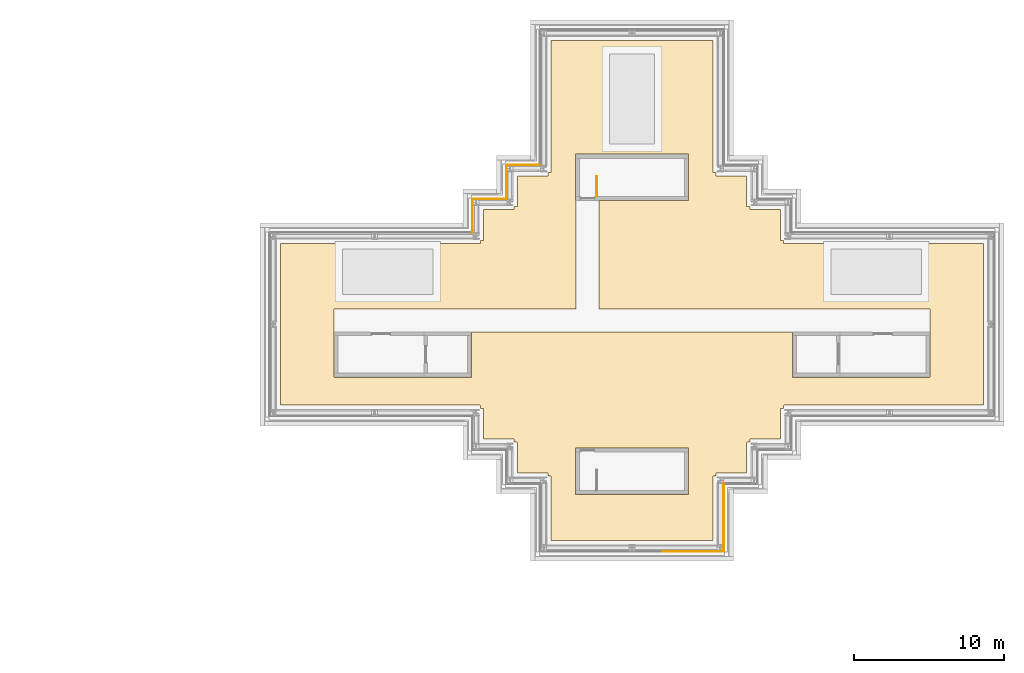
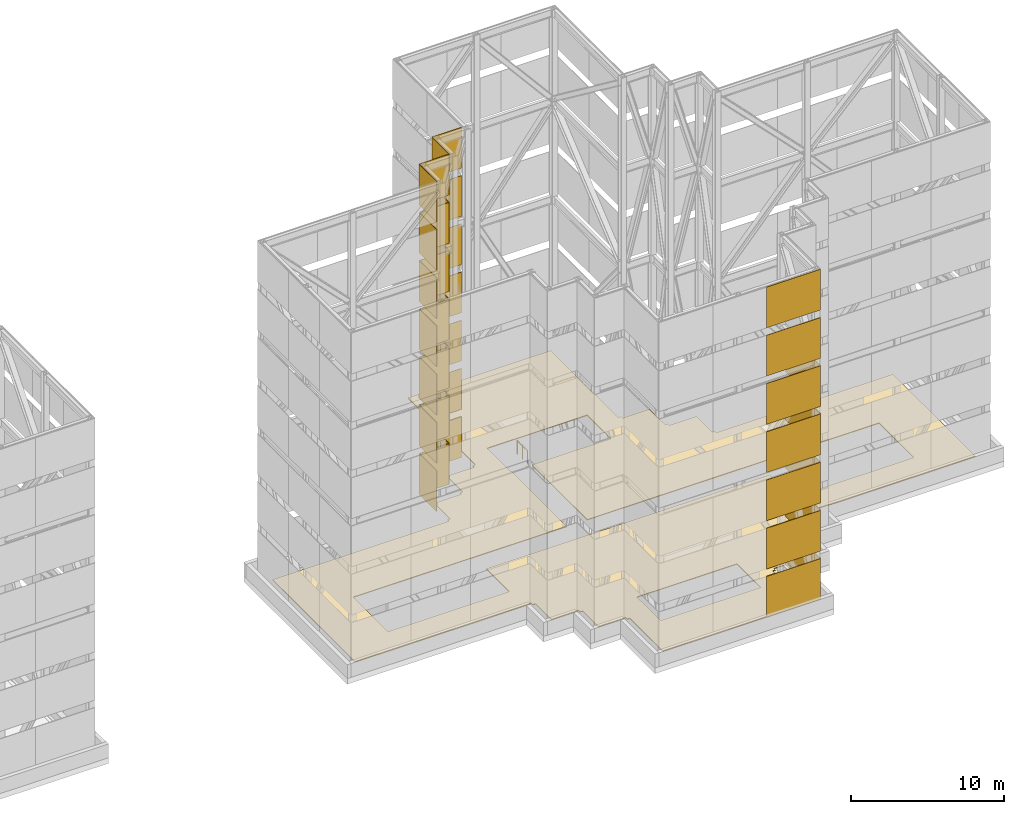
# One storey, part 17 of 19: 41 coverings, 1 railing.
"""IFC4 building model written with IfcOpenShell, lengths in metres."""

from ifc_helpers import new_model, si_unit, direction, frame, origin, origin_2d, place, context, subcontext, project, spatial, polyline, rectangle, circle, outline, extrude, material, layer, layer_set, type_object, element, save


model = new_model("IFC4")

# Units and contexts
model_context = context("Model", 3, precision=1e-05, world=origin(), true_north=direction((0.0, 1.0)))
body_context = subcontext(model_context, "Body", "Model", "MODEL_VIEW")
ifc_project = project(units=[si_unit("LENGTHUNIT", "METRE"), si_unit("AREAUNIT", "SQUARE_METRE"), si_unit("VOLUMEUNIT", "CUBIC_METRE"), si_unit("PLANEANGLEUNIT", "RADIAN"), si_unit("MASSUNIT", "GRAM", prefix="KILO")], contexts=[model_context])

# Site, building, storey
site_placement = place(None, origin())
site = spatial("IfcSite", under=ifc_project, at=site_placement, CompositionType="ELEMENT")
building_placement = place(site_placement, origin())
building = spatial("IfcBuilding", under=site, at=building_placement, Name="Shamsa Quay Exchange Towers", CompositionType="ELEMENT")
storey_placement = place(building_placement, frame((0.0, 0.0, 284.300048828125)))
storey = spatial("IfcBuildingStorey", under=building, at=storey_placement, Name="Roof", CompositionType="ELEMENT", Elevation=284.300048828125)

# Coverings
ifc_material_1 = material(Name="Aluminium EN AW-5083, dark bronze anodised, perforated", Category="aluminium")
ifc_layer_1 = layer(ifc_material_1, 0.0400390625)
ifc_layer_set_1 = layer_set([ifc_layer_1], Name="CROWN SCREEN PANEL 40")
covering_type_1 = type_object("IfcCoveringType", Name="CROWN SCREEN PANEL 40", PredefinedType="CLADDING", material=ifc_layer_set_1)
for number, where, z_axis, x_axis, name in (
    (1, (26.52099609375, 10.60302734375, 0.60009765625), (0.0, 0.0, 1.0), (-1.0, 0.0, 0.0), "SCREEN T2 CR12 tier 1"),
    (2, (26.52099609375, 10.60302734375, 4.44287109375), (0.0, 0.0, 1.0), (-1.0, 0.0, 0.0), "SCREEN T2 CR12 tier 2"),
    (3, (26.52099609375, 10.60302734375, 8.28564453125), (0.0, 0.0, 1.0), (-1.0, 0.0, 0.0), "SCREEN T2 CR12 tier 3"),
    (4, (26.52099609375, 10.60302734375, 12.12841796875), (0.0, 0.0, 1.0), (-1.0, 0.0, 0.0), "SCREEN T2 CR12 tier 4"),
    (5, (26.52099609375, 10.60302734375, 15.97119140625), (0.0, 0.0, 1.0), (-1.0, 0.0, 0.0), "SCREEN T2 CR12 tier 5"),
    (6, (26.52099609375, 10.60302734375, 19.81396484375), (0.0, 0.0, 1.0), (-1.0, 0.0, 0.0), "SCREEN T2 CR12 tier 6"),
    (7, (26.52099609375, 10.60302734375, 23.6572265625), (0.0, 0.0, 1.0), (-1.0, 0.0, 0.0), "SCREEN T2 CR12 tier 7"),
):
    element("IfcCovering", number, at=place(storey_placement, frame(where, z_axis=z_axis, x_axis=x_axis)), inside=storey, type_object=covering_type_1, Name=name, PredefinedType="CLADDING", context=body_context, shape_type="SweptSolid", body=[
        extrude(rectangle(XDim=2.2080078125, YDim=0.0400390625, at=origin_2d()), origin(), (0.0, 0.0, 1.0), 3.242919921875),
    ])
for number, where, z_axis, x_axis, name in (
    (8, (25.39697265625, 9.4580078125, 0.60009765625), (0.0, 0.0, 1.0), (0.0, -1.0, 0.0), "SCREEN T2 CR13 tier 1"),
    (9, (25.39697265625, 9.4580078125, 4.44287109375), (0.0, 0.0, 1.0), (0.0, -1.0, 0.0), "SCREEN T2 CR13 tier 2"),
    (10, (25.39697265625, 9.4580078125, 8.28564453125), (0.0, 0.0, 1.0), (0.0, -1.0, 0.0), "SCREEN T2 CR13 tier 3"),
    (11, (25.39697265625, 9.4580078125, 12.12841796875), (0.0, 0.0, 1.0), (0.0, -1.0, 0.0), "SCREEN T2 CR13 tier 4"),
    (12, (25.39697265625, 9.4580078125, 15.97119140625), (0.0, 0.0, 1.0), (0.0, -1.0, 0.0), "SCREEN T2 CR13 tier 5"),
    (13, (25.39697265625, 9.4580078125, 19.81396484375), (0.0, 0.0, 1.0), (0.0, -1.0, 0.0), "SCREEN T2 CR13 tier 6"),
    (14, (25.39697265625, 9.4580078125, 23.6572265625), (0.0, 0.0, 1.0), (0.0, -1.0, 0.0), "SCREEN T2 CR13 tier 7"),
):
    element("IfcCovering", number, at=place(storey_placement, frame(where, z_axis=z_axis, x_axis=x_axis)), inside=storey, type_object=covering_type_1, Name=name, PredefinedType="CLADDING", context=body_context, shape_type="SweptSolid", body=[
        extrude(rectangle(XDim=2.25, YDim=0.0400390625, at=origin_2d()), origin(), (0.0, 0.0, 1.0), 3.242919921875),
    ])
for number, where, z_axis, x_axis, name in (
    (15, (24.27099609375, 8.35302734375, 0.60009765625), (0.0, 0.0, 1.0), (-1.0, 0.0, 0.0), "SCREEN T2 CR14 tier 1"),
    (16, (24.27099609375, 8.35302734375, 4.44287109375), (0.0, 0.0, 1.0), (-1.0, 0.0, 0.0), "SCREEN T2 CR14 tier 2"),
    (17, (24.27099609375, 8.35302734375, 8.28564453125), (0.0, 0.0, 1.0), (-1.0, 0.0, 0.0), "SCREEN T2 CR14 tier 3"),
    (18, (24.27099609375, 8.35302734375, 12.12841796875), (0.0, 0.0, 1.0), (-1.0, 0.0, 0.0), "SCREEN T2 CR14 tier 4"),
    (19, (24.27099609375, 8.35302734375, 15.97119140625), (0.0, 0.0, 1.0), (-1.0, 0.0, 0.0), "SCREEN T2 CR14 tier 5"),
    (20, (24.27099609375, 8.35302734375, 19.81396484375), (0.0, 0.0, 1.0), (-1.0, 0.0, 0.0), "SCREEN T2 CR14 tier 6"),
    (21, (24.27099609375, 8.35302734375, 23.6572265625), (0.0, 0.0, 1.0), (-1.0, 0.0, 0.0), "SCREEN T2 CR14 tier 7"),
):
    element("IfcCovering", number, at=place(storey_placement, frame(where, z_axis=z_axis, x_axis=x_axis)), inside=storey, type_object=covering_type_1, Name=name, PredefinedType="CLADDING", context=body_context, shape_type="SweptSolid", body=[
        extrude(rectangle(XDim=2.2080078125, YDim=0.0400390625, at=origin_2d()), origin(), (0.0, 0.0, 1.0), 3.242919921875),
    ])
for number, where, z_axis, x_axis, name in (
    (22, (23.14697265625, 7.2080078125, 0.60009765625), (0.0, 0.0, 1.0), (0.0, -1.0, 0.0), "SCREEN T2 CR15 tier 1"),
    (23, (23.14697265625, 7.2080078125, 4.44287109375), (0.0, 0.0, 1.0), (0.0, -1.0, 0.0), "SCREEN T2 CR15 tier 2"),
    (24, (23.14697265625, 7.2080078125, 8.28564453125), (0.0, 0.0, 1.0), (0.0, -1.0, 0.0), "SCREEN T2 CR15 tier 3"),
    (25, (23.14697265625, 7.2080078125, 12.12841796875), (0.0, 0.0, 1.0), (0.0, -1.0, 0.0), "SCREEN T2 CR15 tier 4"),
    (26, (23.14697265625, 7.2080078125, 15.97119140625), (0.0, 0.0, 1.0), (0.0, -1.0, 0.0), "SCREEN T2 CR15 tier 5"),
    (27, (23.14697265625, 7.2080078125, 19.81396484375), (0.0, 0.0, 1.0), (0.0, -1.0, 0.0), "SCREEN T2 CR15 tier 6"),
    (28, (23.14697265625, 7.2080078125, 23.6572265625), (0.0, 0.0, 1.0), (0.0, -1.0, 0.0), "SCREEN T2 CR15 tier 7"),
):
    element("IfcCovering", number, at=place(storey_placement, frame(where, z_axis=z_axis, x_axis=x_axis)), inside=storey, type_object=covering_type_1, Name=name, PredefinedType="CLADDING", context=body_context, shape_type="SweptSolid", body=[
        extrude(rectangle(XDim=2.25, YDim=0.0400390625, at=origin_2d()), origin(), (0.0, 0.0, 1.0), 3.242919921875),
    ])
for number, where, name in (
    (29, (37.805419921875, -15.10302734375, 0.60009765625), "SCREEN T2 CR24 tier 1"),
    (30, (37.805419921875, -15.10302734375, 4.44287109375), "SCREEN T2 CR24 tier 2"),
    (31, (37.805419921875, -15.10302734375, 8.28564453125), "SCREEN T2 CR24 tier 3"),
    (32, (37.805419921875, -15.10302734375, 12.12841796875), "SCREEN T2 CR24 tier 4"),
    (33, (37.805419921875, -15.10302734375, 15.97119140625), "SCREEN T2 CR24 tier 5"),
    (34, (37.805419921875, -15.10302734375, 19.81396484375), "SCREEN T2 CR24 tier 6"),
    (35, (37.805419921875, -15.10302734375, 23.6572265625), "SCREEN T2 CR24 tier 7"),
):
    element("IfcCovering", number, at=place(storey_placement, frame(where)), inside=storey, type_object=covering_type_1, Name=name, PredefinedType="CLADDING", context=body_context, shape_type="SweptSolid", body=[
        extrude(rectangle(XDim=4.055419921875, YDim=0.0400390625, at=origin_2d()), origin(), (0.0, 0.0, 1.0), 3.242919921875),
    ])
for number, where, z_axis, x_axis, name in (
    (36, (39.85302734375, -12.8330078125, 0.60009765625), (0.0, 0.0, 1.0), (0.0, 1.0, 0.0), "SCREEN T2 CR25 tier 1"),
    (37, (39.85302734375, -12.8330078125, 4.44287109375), (0.0, 0.0, 1.0), (0.0, 1.0, 0.0), "SCREEN T2 CR25 tier 2"),
    (38, (39.85302734375, -12.8330078125, 8.28564453125), (0.0, 0.0, 1.0), (0.0, 1.0, 0.0), "SCREEN T2 CR25 tier 3"),
    (39, (39.85302734375, -12.8330078125, 12.12841796875), (0.0, 0.0, 1.0), (0.0, 1.0, 0.0), "SCREEN T2 CR25 tier 4"),
    (40, (39.85302734375, -12.8330078125, 15.97119140625), (0.0, 0.0, 1.0), (0.0, 1.0, 0.0), "SCREEN T2 CR25 tier 5"),
):
    element("IfcCovering", number, at=place(storey_placement, frame(where, z_axis=z_axis, x_axis=x_axis)), inside=storey, type_object=covering_type_1, Name=name, PredefinedType="CLADDING", context=body_context, shape_type="SweptSolid", body=[
        extrude(rectangle(XDim=4.5, YDim=0.0400390625, at=origin_2d()), origin(), (0.0, 0.0, 1.0), 3.242919921875),
    ])
ifc_material_2 = material(Name="Bituminous waterproofing membrane with ballast")
ifc_layer_2 = layer(ifc_material_2, 0.06005859375)
ifc_layer_set_2 = layer_set([ifc_layer_2], Name="ROOF MEMBRANE 60")
covering_type_2 = type_object("IfcCoveringType", Name="ROOF MEMBRANE 60", PredefinedType="ROOFING", material=ifc_layer_set_2)
covering_placement = place(storey_placement, origin())
element("IfcCovering", 41, at=covering_placement, inside=storey, type_object=covering_type_2, Name="Roof membrane T2 2", PredefinedType="ROOFING", context=body_context, shape_type="SweptSolid", body=[
    extrude(outline(polyline([(28.1455078125, -9.88134765625), (26.11865234375, -9.88134765625), (26.11865234375, -7.859375), (26.118408203125, -7.857421875), (26.1181640625, -7.85546875), (26.11767578125, -7.853759765625), (26.1171875, -7.851806640625), (26.1162109375, -7.85009765625), (26.115234375, -7.848388671875), (26.114013671875, -7.8466796875), (26.11279296875, -7.84521484375), (26.111328125, -7.843994140625), (26.109619140625, -7.8427734375), (26.10791015625, -7.841796875), (26.106201171875, -7.841064453125), (26.1044921875, -7.84033203125), (26.1025390625, -7.83984375), (26.1005859375, -7.839599609375), (26.0986328125, -7.83935546875), (25.91552734375, -7.83935546875), (25.91552734375, -7.6513671875), (25.915283203125, -7.6494140625), (25.9150390625, -7.6474609375), (25.91455078125, -7.6455078125), (25.913818359375, -7.643798828125), (25.9130859375, -7.64208984375), (25.912109375, -7.640380859375), (25.910888671875, -7.638671875), (25.90966796875, -7.63720703125), (25.908203125, -7.635986328125), (25.906494140625, -7.634765625), (25.90478515625, -7.6337890625), (25.903076171875, -7.6328125), (25.9013671875, -7.63232421875), (25.8994140625, -7.6318359375), (25.8974609375, -7.631591796875), (25.8955078125, -7.63134765625), (23.86865234375, -7.63134765625), (23.86865234375, -5.609375), (23.868408203125, -5.607421875), (23.8681640625, -5.60546875), (23.86767578125, -5.603759765625), (23.8671875, -5.601806640625), (23.8662109375, -5.60009765625), (23.865234375, -5.598388671875), (23.864013671875, -5.5966796875), (23.86279296875, -5.59521484375), (23.861328125, -5.593994140625), (23.859619140625, -5.5927734375), (23.85791015625, -5.591796875), (23.856201171875, -5.591064453125), (23.8544921875, -5.59033203125), (23.8525390625, -5.58984375), (23.8505859375, -5.589599609375), (23.8486328125, -5.58935546875), (23.66552734375, -5.58935546875), (23.66552734375, -5.4013671875), (23.665283203125, -5.3994140625), (23.6650390625, -5.3974609375), (23.66455078125, -5.3955078125), (23.663818359375, -5.393798828125), (23.6630859375, -5.39208984375), (23.662109375, -5.390380859375), (23.660888671875, -5.388671875), (23.65966796875, -5.38720703125), (23.658203125, -5.385986328125), (23.656494140625, -5.384765625), (23.65478515625, -5.3837890625), (23.653076171875, -5.3828125), (23.6513671875, -5.38232421875), (23.6494140625, -5.3818359375), (23.6474609375, -5.381591796875), (23.6455078125, -5.38134765625), (16.8955078125, -5.38134765625), (16.3544921875, -5.38134765625), (10.36865234375, -5.38134765625), (10.36865234375, -0.265625), (10.36865234375, 0.265625), (10.36865234375, 5.38134765625), (16.3544921875, 5.38134765625), (16.8955078125, 5.38134765625), (23.6455078125, 5.38134765625), (23.6474609375, 5.381591796875), (23.6494140625, 5.3818359375), (23.6513671875, 5.38232421875), (23.653076171875, 5.3828125), (23.65478515625, 5.3837890625), (23.656494140625, 5.384765625), (23.658203125, 5.385986328125), (23.65966796875, 5.38720703125), (23.660888671875, 5.388671875), (23.662109375, 5.390380859375), (23.6630859375, 5.39208984375), (23.663818359375, 5.393798828125), (23.66455078125, 5.3955078125), (23.6650390625, 5.3974609375), (23.665283203125, 5.3994140625), (23.66552734375, 5.4013671875), (23.66552734375, 5.58935546875), (23.8486328125, 5.58935546875), (23.8505859375, 5.589599609375), (23.8525390625, 5.58984375), (23.8544921875, 5.59033203125), (23.856201171875, 5.591064453125), (23.85791015625, 5.591796875), (23.859619140625, 5.5927734375), (23.861328125, 5.593994140625), (23.86279296875, 5.59521484375), (23.864013671875, 5.5966796875), (23.865234375, 5.598388671875), (23.8662109375, 5.60009765625), (23.8671875, 5.601806640625), (23.86767578125, 5.603759765625), (23.8681640625, 5.60546875), (23.868408203125, 5.607421875), (23.86865234375, 5.609375), (23.86865234375, 7.63134765625), (25.8955078125, 7.63134765625), (25.8974609375, 7.631591796875), (25.8994140625, 7.6318359375), (25.9013671875, 7.63232421875), (25.903076171875, 7.6328125), (25.90478515625, 7.6337890625), (25.906494140625, 7.634765625), (25.908203125, 7.635986328125), (25.90966796875, 7.63720703125), (25.910888671875, 7.638671875), (25.912109375, 7.640380859375), (25.9130859375, 7.64208984375), (25.913818359375, 7.643798828125), (25.91455078125, 7.6455078125), (25.9150390625, 7.6474609375), (25.915283203125, 7.6494140625), (25.91552734375, 7.6513671875), (25.91552734375, 7.83935546875), (26.0986328125, 7.83935546875), (26.1005859375, 7.839599609375), (26.1025390625, 7.83984375), (26.1044921875, 7.84033203125), (26.106201171875, 7.841064453125), (26.10791015625, 7.841796875), (26.109619140625, 7.8427734375), (26.111328125, 7.843994140625), (26.11279296875, 7.84521484375), (26.114013671875, 7.8466796875), (26.115234375, 7.848388671875), (26.1162109375, 7.85009765625), (26.1171875, 7.851806640625), (26.11767578125, 7.853759765625), (26.1181640625, 7.85546875), (26.118408203125, 7.857421875), (26.11865234375, 7.859375), (26.11865234375, 9.88134765625), (28.1455078125, 9.88134765625), (28.1474609375, 9.881591796875), (28.1494140625, 9.8818359375), (28.1513671875, 9.88232421875), (28.153076171875, 9.8828125), (28.15478515625, 9.8837890625), (28.156494140625, 9.884765625), (28.158203125, 9.885986328125), (28.15966796875, 9.88720703125), (28.160888671875, 9.888671875), (28.162109375, 9.890380859375), (28.1630859375, 9.89208984375), (28.163818359375, 9.893798828125), (28.16455078125, 9.8955078125), (28.1650390625, 9.8974609375), (28.165283203125, 9.8994140625), (28.16552734375, 9.9013671875), (28.16552734375, 10.08935546875), (28.3486328125, 10.08935546875), (28.3505859375, 10.089599609375), (28.3525390625, 10.08984375), (28.3544921875, 10.09033203125), (28.356201171875, 10.091064453125), (28.35791015625, 10.091796875), (28.359619140625, 10.0927734375), (28.361328125, 10.093994140625), (28.36279296875, 10.09521484375), (28.364013671875, 10.0966796875), (28.365234375, 10.098388671875), (28.3662109375, 10.10009765625), (28.3671875, 10.101806640625), (28.36767578125, 10.103759765625), (28.3681640625, 10.10546875), (28.368408203125, 10.107421875), (28.36865234375, 10.109375), (28.36865234375, 18.88134765625), (33.4794921875, 18.88134765625), (34.0205078125, 18.88134765625), (39.13134765625, 18.88134765625), (39.13134765625, 10.109375), (39.131591796875, 10.107421875), (39.1318359375, 10.10546875), (39.13232421875, 10.103759765625), (39.1328125, 10.101806640625), (39.1337890625, 10.10009765625), (39.134765625, 10.098388671875), (39.135986328125, 10.0966796875), (39.13720703125, 10.09521484375), (39.138671875, 10.093994140625), (39.140380859375, 10.0927734375), (39.14208984375, 10.091796875), (39.143798828125, 10.091064453125), (39.1455078125, 10.09033203125), (39.1474609375, 10.08984375), (39.1494140625, 10.089599609375), (39.1513671875, 10.08935546875), (39.33447265625, 10.08935546875), (39.33447265625, 9.9013671875), (39.334716796875, 9.8994140625), (39.3349609375, 9.8974609375), (39.33544921875, 9.8955078125), (39.336181640625, 9.893798828125), (39.3369140625, 9.89208984375), (39.337890625, 9.890380859375), (39.339111328125, 9.888671875), (39.34033203125, 9.88720703125), (39.341796875, 9.885986328125), (39.343505859375, 9.884765625), (39.34521484375, 9.8837890625), (39.346923828125, 9.8828125), (39.3486328125, 9.88232421875), (39.3505859375, 9.8818359375), (39.3525390625, 9.881591796875), (39.3544921875, 9.88134765625), (41.38134765625, 9.88134765625), (41.38134765625, 7.859375), (41.381591796875, 7.857421875), (41.3818359375, 7.85546875), (41.38232421875, 7.853759765625), (41.3828125, 7.851806640625), (41.3837890625, 7.85009765625), (41.384765625, 7.848388671875), (41.385986328125, 7.8466796875), (41.38720703125, 7.84521484375), (41.388671875, 7.843994140625), (41.390380859375, 7.8427734375), (41.39208984375, 7.841796875), (41.393798828125, 7.841064453125), (41.3955078125, 7.84033203125), (41.3974609375, 7.83984375), (41.3994140625, 7.839599609375), (41.4013671875, 7.83935546875), (41.58447265625, 7.83935546875), (41.58447265625, 7.6513671875), (41.584716796875, 7.6494140625), (41.5849609375, 7.6474609375), (41.58544921875, 7.6455078125), (41.586181640625, 7.643798828125), (41.5869140625, 7.64208984375), (41.587890625, 7.640380859375), (41.589111328125, 7.638671875), (41.59033203125, 7.63720703125), (41.591796875, 7.635986328125), (41.593505859375, 7.634765625), (41.59521484375, 7.6337890625), (41.596923828125, 7.6328125), (41.5986328125, 7.63232421875), (41.6005859375, 7.6318359375), (41.6025390625, 7.631591796875), (41.6044921875, 7.63134765625), (43.63134765625, 7.63134765625), (43.63134765625, 5.609375), (43.631591796875, 5.607421875), (43.6318359375, 5.60546875), (43.63232421875, 5.603759765625), (43.6328125, 5.601806640625), (43.6337890625, 5.60009765625), (43.634765625, 5.598388671875), (43.635986328125, 5.5966796875), (43.63720703125, 5.59521484375), (43.638671875, 5.593994140625), (43.640380859375, 5.5927734375), (43.64208984375, 5.591796875), (43.643798828125, 5.591064453125), (43.6455078125, 5.59033203125), (43.6474609375, 5.58984375), (43.6494140625, 5.589599609375), (43.6513671875, 5.58935546875), (43.83447265625, 5.58935546875), (43.83447265625, 5.4013671875), (43.834716796875, 5.3994140625), (43.8349609375, 5.3974609375), (43.83544921875, 5.3955078125), (43.836181640625, 5.393798828125), (43.8369140625, 5.39208984375), (43.837890625, 5.390380859375), (43.839111328125, 5.388671875), (43.84033203125, 5.38720703125), (43.841796875, 5.385986328125), (43.843505859375, 5.384765625), (43.84521484375, 5.3837890625), (43.846923828125, 5.3828125), (43.8486328125, 5.38232421875), (43.8505859375, 5.3818359375), (43.8525390625, 5.381591796875), (43.8544921875, 5.38134765625), (50.6044921875, 5.38134765625), (51.1455078125, 5.38134765625), (57.13134765625, 5.38134765625), (57.13134765625, 0.265625), (57.13134765625, -0.265625), (57.13134765625, -5.38134765625), (51.1455078125, -5.38134765625), (50.6044921875, -5.38134765625), (43.8544921875, -5.38134765625), (43.8525390625, -5.381591796875), (43.8505859375, -5.3818359375), (43.8486328125, -5.38232421875), (43.846923828125, -5.3828125), (43.84521484375, -5.3837890625), (43.843505859375, -5.384765625), (43.841796875, -5.385986328125), (43.84033203125, -5.38720703125), (43.839111328125, -5.388671875), (43.837890625, -5.390380859375), (43.8369140625, -5.39208984375), (43.836181640625, -5.393798828125), (43.83544921875, -5.3955078125), (43.8349609375, -5.3974609375), (43.834716796875, -5.3994140625), (43.83447265625, -5.4013671875), (43.83447265625, -5.58935546875), (43.6513671875, -5.58935546875), (43.6494140625, -5.589599609375), (43.6474609375, -5.58984375), (43.6455078125, -5.59033203125), (43.643798828125, -5.591064453125), (43.64208984375, -5.591796875), (43.640380859375, -5.5927734375), (43.638671875, -5.593994140625), (43.63720703125, -5.59521484375), (43.635986328125, -5.5966796875), (43.634765625, -5.598388671875), (43.6337890625, -5.60009765625), (43.6328125, -5.601806640625), (43.63232421875, -5.603759765625), (43.6318359375, -5.60546875), (43.631591796875, -5.607421875), (43.63134765625, -5.609375), (43.63134765625, -7.63134765625), (41.6044921875, -7.63134765625), (41.6025390625, -7.631591796875), (41.6005859375, -7.6318359375), (41.5986328125, -7.63232421875), (41.596923828125, -7.6328125), (41.59521484375, -7.6337890625), (41.593505859375, -7.634765625), (41.591796875, -7.635986328125), (41.59033203125, -7.63720703125), (41.589111328125, -7.638671875), (41.587890625, -7.640380859375), (41.5869140625, -7.64208984375), (41.586181640625, -7.643798828125), (41.58544921875, -7.6455078125), (41.5849609375, -7.6474609375), (41.584716796875, -7.6494140625), (41.58447265625, -7.6513671875), (41.58447265625, -7.83935546875), (41.4013671875, -7.83935546875), (41.3994140625, -7.839599609375), (41.3974609375, -7.83984375), (41.3955078125, -7.84033203125), (41.393798828125, -7.841064453125), (41.39208984375, -7.841796875), (41.390380859375, -7.8427734375), (41.388671875, -7.843994140625), (41.38720703125, -7.84521484375), (41.385986328125, -7.8466796875), (41.384765625, -7.848388671875), (41.3837890625, -7.85009765625), (41.3828125, -7.851806640625), (41.38232421875, -7.853759765625), (41.3818359375, -7.85546875), (41.381591796875, -7.857421875), (41.38134765625, -7.859375), (41.38134765625, -9.88134765625), (39.3544921875, -9.88134765625), (39.3525390625, -9.881591796875), (39.3505859375, -9.8818359375), (39.3486328125, -9.88232421875), (39.346923828125, -9.8828125), (39.34521484375, -9.8837890625), (39.343505859375, -9.884765625), (39.341796875, -9.885986328125), (39.34033203125, -9.88720703125), (39.339111328125, -9.888671875), (39.337890625, -9.890380859375), (39.3369140625, -9.89208984375), (39.336181640625, -9.893798828125), (39.33544921875, -9.8955078125), (39.3349609375, -9.8974609375), (39.334716796875, -9.8994140625), (39.33447265625, -9.9013671875), (39.33447265625, -10.08935546875), (39.1513671875, -10.08935546875), (39.1494140625, -10.089599609375), (39.1474609375, -10.08984375), (39.1455078125, -10.09033203125), (39.143798828125, -10.091064453125), (39.14208984375, -10.091796875), (39.140380859375, -10.0927734375), (39.138671875, -10.093994140625), (39.13720703125, -10.09521484375), (39.135986328125, -10.0966796875), (39.134765625, -10.098388671875), (39.1337890625, -10.10009765625), (39.1328125, -10.101806640625), (39.13232421875, -10.103759765625), (39.1318359375, -10.10546875), (39.131591796875, -10.107421875), (39.13134765625, -10.109375), (39.13134765625, -14.38134765625), (34.0205078125, -14.38134765625), (33.4794921875, -14.38134765625), (28.36865234375, -14.38134765625), (28.36865234375, -10.109375), (28.368408203125, -10.107421875), (28.3681640625, -10.10546875), (28.36767578125, -10.103759765625), (28.3671875, -10.101806640625), (28.3662109375, -10.10009765625), (28.365234375, -10.098388671875), (28.364013671875, -10.0966796875), (28.36279296875, -10.09521484375), (28.361328125, -10.093994140625), (28.359619140625, -10.0927734375), (28.35791015625, -10.091796875), (28.356201171875, -10.091064453125), (28.3544921875, -10.09033203125), (28.3525390625, -10.08984375), (28.3505859375, -10.089599609375), (28.3486328125, -10.08935546875), (28.16552734375, -10.08935546875), (28.16552734375, -9.9013671875), (28.165283203125, -9.8994140625), (28.1650390625, -9.8974609375), (28.16455078125, -9.8955078125), (28.163818359375, -9.893798828125), (28.1630859375, -9.89208984375), (28.162109375, -9.890380859375), (28.160888671875, -9.888671875), (28.15966796875, -9.88720703125), (28.158203125, -9.885986328125), (28.156494140625, -9.884765625), (28.15478515625, -9.8837890625), (28.153076171875, -9.8828125), (28.1513671875, -9.88232421875), (28.1494140625, -9.8818359375), (28.1474609375, -9.881591796875), (28.1455078125, -9.88134765625)]), holes=[polyline([(37.505859375, 11.319091796875), (37.50390625, 11.319580078125), (37.501953125, 11.31982421875), (37.5, 11.320068359375), (30.0, 11.320068359375), (29.998046875, 11.31982421875), (29.99609375, 11.319580078125), (29.994140625, 11.319091796875), (29.992431640625, 11.318359375), (29.990478515625, 11.317626953125), (29.98876953125, 11.316650390625), (29.9873046875, 11.3154296875), (29.98583984375, 11.314208984375), (29.984619140625, 11.312744140625), (29.9833984375, 11.31103515625), (29.982421875, 11.309326171875), (29.9814453125, 11.3076171875), (29.98095703125, 11.305908203125), (29.98046875, 11.303955078125), (29.97998046875, 11.302001953125), (29.97998046875, 11.300048828125), (29.97998046875, 8.25), (29.97998046875, 8.248046875), (29.98046875, 8.24609375), (29.98095703125, 8.244140625), (29.9814453125, 8.242431640625), (29.982421875, 8.240478515625), (29.9833984375, 8.23876953125), (29.984619140625, 8.2373046875), (29.98583984375, 8.23583984375), (29.9873046875, 8.234619140625), (29.98876953125, 8.2333984375), (29.990478515625, 8.232421875), (29.992431640625, 8.2314453125), (29.994140625, 8.23095703125), (29.99609375, 8.23046875), (29.998046875, 8.22998046875), (30.0, 8.22998046875), (30.030029296875, 8.22998046875), (30.030029296875, 1.02001953125), (23.050048828125, 1.02001953125), (16.300048828125, 1.02001953125), (13.949951171875, 1.02001953125), (13.947998046875, 1.02001953125), (13.946044921875, 1.01953125), (13.944091796875, 1.01904296875), (13.9423828125, 1.0185546875), (13.940673828125, 1.017578125), (13.93896484375, 1.0166015625), (13.937255859375, 1.015380859375), (13.935791015625, 1.01416015625), (13.9345703125, 1.0126953125), (13.933349609375, 1.01123046875), (13.932373046875, 1.009521484375), (13.931640625, 1.007568359375), (13.930908203125, 1.005859375), (13.930419921875, 1.00390625), (13.93017578125, 1.001953125), (13.929931640625, 1.0), (13.929931640625, -0.5), (13.929931640625, -3.5), (13.93017578125, -3.501953125), (13.930419921875, -3.50390625), (13.930908203125, -3.505859375), (13.931640625, -3.507568359375), (13.932373046875, -3.509521484375), (13.933349609375, -3.51123046875), (13.9345703125, -3.5126953125), (13.935791015625, -3.51416015625), (13.937255859375, -3.515380859375), (13.93896484375, -3.5166015625), (13.940673828125, -3.517578125), (13.9423828125, -3.5185546875), (13.944091796875, -3.51904296875), (13.946044921875, -3.51953125), (13.947998046875, -3.52001953125), (13.949951171875, -3.52001953125), (23.050048828125, -3.52001953125), (23.052001953125, -3.52001953125), (23.053955078125, -3.51953125), (23.055908203125, -3.51904296875), (23.0576171875, -3.5185546875), (23.059326171875, -3.517578125), (23.06103515625, -3.5166015625), (23.062744140625, -3.515380859375), (23.064208984375, -3.51416015625), (23.0654296875, -3.5126953125), (23.066650390625, -3.51123046875), (23.067626953125, -3.509521484375), (23.068359375, -3.507568359375), (23.069091796875, -3.505859375), (23.069580078125, -3.50390625), (23.06982421875, -3.501953125), (23.070068359375, -3.5), (23.070068359375, -0.52001953125), (44.429931640625, -0.52001953125), (44.429931640625, -3.5), (44.43017578125, -3.501953125), (44.430419921875, -3.50390625), (44.430908203125, -3.505859375), (44.431640625, -3.507568359375), (44.432373046875, -3.509521484375), (44.433349609375, -3.51123046875), (44.4345703125, -3.5126953125), (44.435791015625, -3.51416015625), (44.437255859375, -3.515380859375), (44.43896484375, -3.5166015625), (44.440673828125, -3.517578125), (44.4423828125, -3.5185546875), (44.444091796875, -3.51904296875), (44.446044921875, -3.51953125), (44.447998046875, -3.52001953125), (44.449951171875, -3.52001953125), (53.550048828125, -3.52001953125), (53.552001953125, -3.52001953125), (53.553955078125, -3.51953125), (53.555908203125, -3.51904296875), (53.5576171875, -3.5185546875), (53.559326171875, -3.517578125), (53.56103515625, -3.5166015625), (53.562744140625, -3.515380859375), (53.564208984375, -3.51416015625), (53.5654296875, -3.5126953125), (53.566650390625, -3.51123046875), (53.567626953125, -3.509521484375), (53.568359375, -3.507568359375), (53.569091796875, -3.505859375), (53.569580078125, -3.50390625), (53.56982421875, -3.501953125), (53.570068359375, -3.5), (53.570068359375, -0.5), (53.570068359375, 1.0), (53.56982421875, 1.001953125), (53.569580078125, 1.00390625), (53.569091796875, 1.005859375), (53.568359375, 1.007568359375), (53.567626953125, 1.009521484375), (53.566650390625, 1.01123046875), (53.5654296875, 1.0126953125), (53.564208984375, 1.01416015625), (53.562744140625, 1.015380859375), (53.56103515625, 1.0166015625), (53.559326171875, 1.017578125), (53.5576171875, 1.0185546875), (53.555908203125, 1.01904296875), (53.553955078125, 1.01953125), (53.552001953125, 1.02001953125), (53.550048828125, 1.02001953125), (51.199951171875, 1.02001953125), (44.449951171875, 1.02001953125), (31.570068359375, 1.02001953125), (31.570068359375, 8.22998046875), (37.5, 8.22998046875), (37.501953125, 8.22998046875), (37.50390625, 8.23046875), (37.505859375, 8.23095703125), (37.507568359375, 8.2314453125), (37.509521484375, 8.232421875), (37.51123046875, 8.2333984375), (37.5126953125, 8.234619140625), (37.51416015625, 8.23583984375), (37.515380859375, 8.2373046875), (37.5166015625, 8.23876953125), (37.517578125, 8.240478515625), (37.5185546875, 8.242431640625), (37.51904296875, 8.244140625), (37.51953125, 8.24609375), (37.52001953125, 8.248046875), (37.52001953125, 8.25), (37.52001953125, 11.300048828125), (37.52001953125, 11.302001953125), (37.51953125, 11.303955078125), (37.51904296875, 11.305908203125), (37.5185546875, 11.3076171875), (37.517578125, 11.309326171875), (37.5166015625, 11.31103515625), (37.515380859375, 11.312744140625), (37.51416015625, 11.314208984375), (37.5126953125, 11.3154296875), (37.51123046875, 11.316650390625), (37.509521484375, 11.317626953125), (37.507568359375, 11.318359375), (37.505859375, 11.319091796875)]), polyline([(37.507568359375, -8.2314453125), (37.505859375, -8.23095703125), (37.50390625, -8.23046875), (37.501953125, -8.22998046875), (37.5, -8.22998046875), (30.0, -8.22998046875), (29.998046875, -8.22998046875), (29.99609375, -8.23046875), (29.994140625, -8.23095703125), (29.992431640625, -8.2314453125), (29.990478515625, -8.232421875), (29.98876953125, -8.2333984375), (29.9873046875, -8.234619140625), (29.98583984375, -8.23583984375), (29.984619140625, -8.2373046875), (29.9833984375, -8.23876953125), (29.982421875, -8.240478515625), (29.9814453125, -8.242431640625), (29.98095703125, -8.244140625), (29.98046875, -8.24609375), (29.97998046875, -8.248046875), (29.97998046875, -8.25), (29.97998046875, -11.300048828125), (29.97998046875, -11.302001953125), (29.98046875, -11.303955078125), (29.98095703125, -11.305908203125), (29.9814453125, -11.3076171875), (29.982421875, -11.309326171875), (29.9833984375, -11.31103515625), (29.984619140625, -11.312744140625), (29.98583984375, -11.314208984375), (29.9873046875, -11.3154296875), (29.98876953125, -11.316650390625), (29.990478515625, -11.317626953125), (29.992431640625, -11.318359375), (29.994140625, -11.319091796875), (29.99609375, -11.319580078125), (29.998046875, -11.31982421875), (30.0, -11.320068359375), (37.5, -11.320068359375), (37.501953125, -11.31982421875), (37.50390625, -11.319580078125), (37.505859375, -11.319091796875), (37.507568359375, -11.318359375), (37.509521484375, -11.317626953125), (37.51123046875, -11.316650390625), (37.5126953125, -11.3154296875), (37.51416015625, -11.314208984375), (37.515380859375, -11.312744140625), (37.5166015625, -11.31103515625), (37.517578125, -11.309326171875), (37.5185546875, -11.3076171875), (37.51904296875, -11.305908203125), (37.51953125, -11.303955078125), (37.52001953125, -11.302001953125), (37.52001953125, -11.300048828125), (37.52001953125, -8.25), (37.52001953125, -8.248046875), (37.51953125, -8.24609375), (37.51904296875, -8.244140625), (37.5185546875, -8.242431640625), (37.517578125, -8.240478515625), (37.5166015625, -8.23876953125), (37.515380859375, -8.2373046875), (37.51416015625, -8.23583984375), (37.5126953125, -8.234619140625), (37.51123046875, -8.2333984375), (37.509521484375, -8.232421875), (37.507568359375, -8.2314453125)])]), origin(), (0.0, 0.0, 1.0), 0.06005859375),
])

# Railing
ifc_material_3 = material(Name="Stainless steel", Category="steel")
railing_type = type_object("IfcRailingType", Name="STAIR GUARD 1100", PredefinedType="GUARDRAIL", material=ifc_material_3)
railing_placement = place(storey_placement, frame((31.39990234375, 8.5, 0.0)))
element("IfcRailing", 42, at=railing_placement, inside=storey, type_object=railing_type, Name="Roof RS3 top well guard 1", PredefinedType="GUARDRAIL", context=body_context, shape_type="SweptSolid", body=[
    extrude(circle(Radius=0.02392578125, at=origin_2d()), frame((0.0, 0.0, 1.076171875), z_axis=(0.0, 1.0, 0.0), x_axis=(-1.0, 0.0, 0.0)), (0.0, 0.0, 1.0), 1.35009765625),
    extrude(circle(Radius=0.02099609375, at=origin_2d()), origin(), (0.0, 0.0, 1.0), 1.052001953125),
    extrude(circle(Radius=0.02099609375, at=origin_2d()), frame((0.0, 0.675048828125, 0.0)), (0.0, 0.0, 1.0), 1.052001953125),
    extrude(circle(Radius=0.02099609375, at=origin_2d()), frame((0.0, 1.35009765625, 0.0)), (0.0, 0.0, 1.0), 1.052001953125),
])

save(model, "model.ifc")
